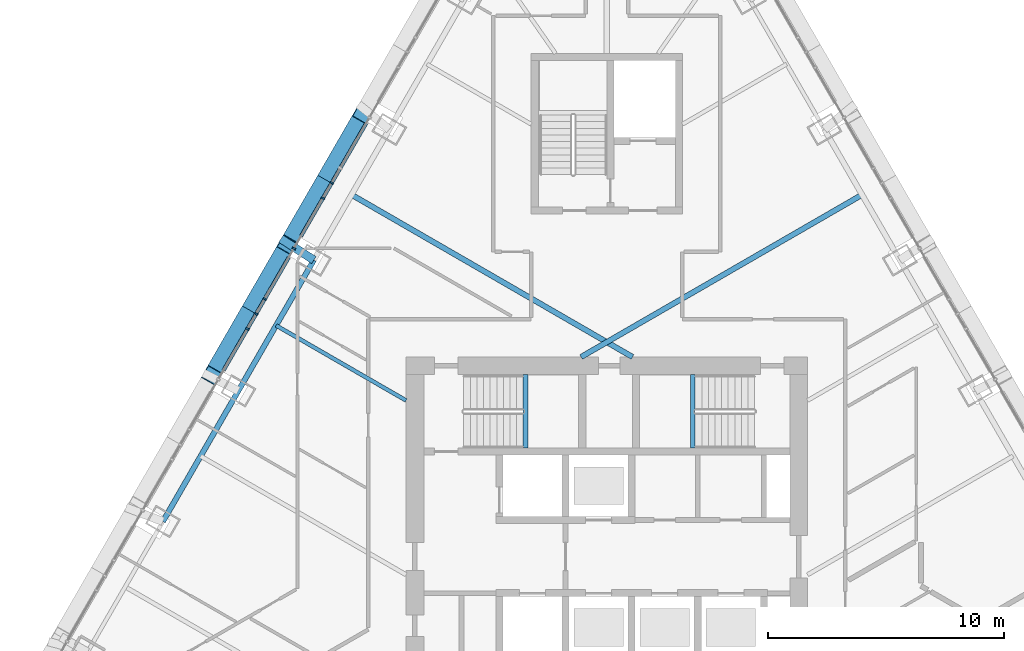
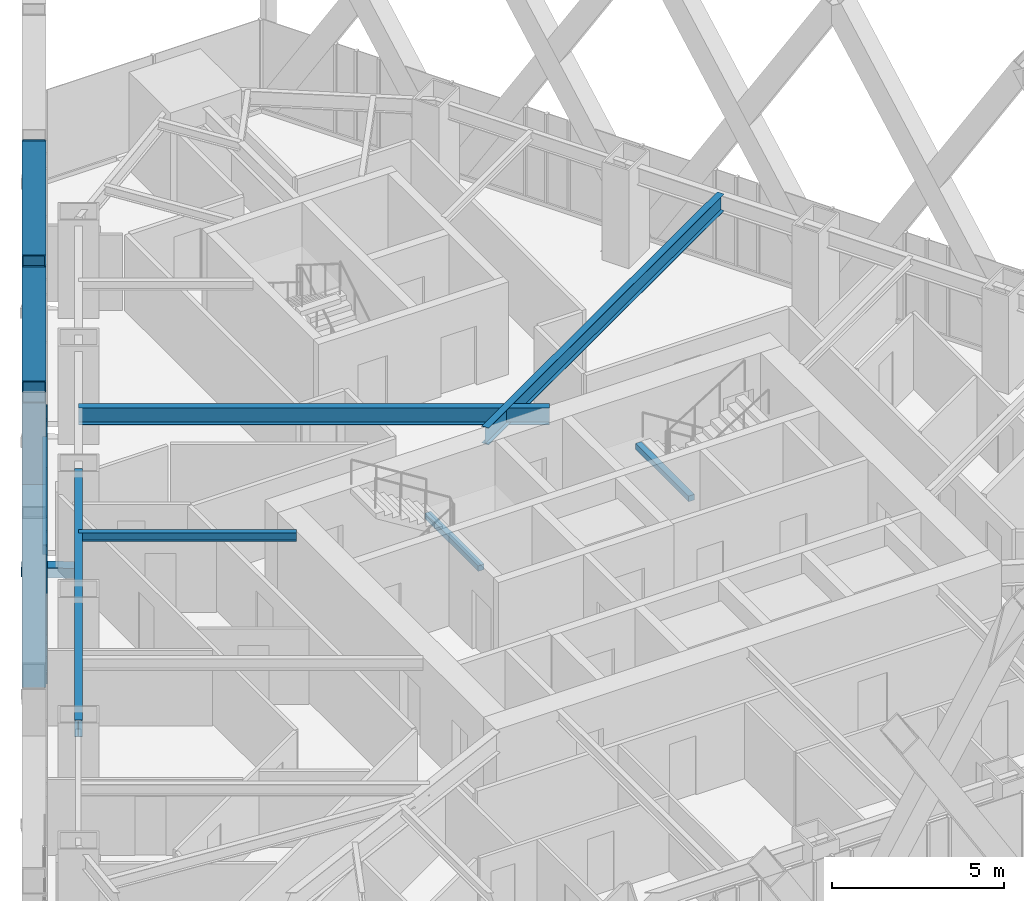
# One storey, part 4 of 21: 13 members, 6 beams, 1 element without a shape of its own.
"""IFC4 building model written with IfcOpenShell, lengths in metres."""

from ifc_helpers import new_model, si_unit, direction, frame, origin, origin_2d, place, context, subcontext, project, spatial, rectangle, hollow_rectangle, i_section, extrude, material, layer, layer_set, material_profile, profile_set, type_object, element, aggregate, save


model = new_model("IFC4")

# Units and contexts
model_context = context("Model", 3, precision=1e-05, world=origin(), true_north=direction((0.0, 1.0)))
body_context = subcontext(model_context, "Body", "Model", "MODEL_VIEW")
ifc_project = project(units=[si_unit("LENGTHUNIT", "METRE"), si_unit("AREAUNIT", "SQUARE_METRE"), si_unit("VOLUMEUNIT", "CUBIC_METRE"), si_unit("PLANEANGLEUNIT", "RADIAN"), si_unit("MASSUNIT", "GRAM", prefix="KILO")], contexts=[model_context])

# Site, building, storey
site_placement = place(None, origin())
site = spatial("IfcSite", under=ifc_project, at=site_placement, CompositionType="ELEMENT")
building_placement = place(site_placement, origin())
building = spatial("IfcBuilding", under=site, at=building_placement, Name="Firuza Gate Tower and Library", CompositionType="ELEMENT")
storey_placement = place(building_placement, frame((0.0, 0.0, 281.10009765625)))
storey = spatial("IfcBuildingStorey", under=building, at=storey_placement, Name="L67", CompositionType="ELEMENT", Elevation=281.10009765625)

# Members
ifc_material_1 = material(Name="Steel S355", Category="steel")
ifc_material_profile_1 = material_profile(ifc_material_1, hollow_rectangle(XDim=0.699951171875, YDim=0.699951171875, WallThickness=0.030029296875, at=origin_2d()))
ifc_profile_set_1 = profile_set([ifc_material_profile_1], Name="Steel S355")
member_type_1 = type_object("IfcMemberType", Name="BU700x700x30 Lattice brace", PredefinedType="BRACE", material=ifc_profile_set_1)
for number, where, z_axis, x_axis, name in (
    (1, (64.664306640625, 92.033935546875, 0.0), (-0.259928079676, -0.450176524361, 0.854270735956), (0.866009957911, -0.500026752084, 0.0), "Lattice brace W 17.3R"),
    (2, (61.469482421875, 86.500732421875, 0.0), (0.259928079676, 0.450176524361, 0.854270735956), (-0.866009957911, 0.500026752084, 0.0), "Lattice brace W 17.3L"),
    (3, (61.469482421875, 86.500732421875, 0.0), (-0.259907234342, -0.450194686004, 0.854267507418), (0.866036056452, -0.499981548585, 0.0), "Lattice brace W 17.4R"),
    (4, (58.27490234375, 80.96728515625, 0.0), (0.259907234342, 0.450194686004, 0.854267507418), (-0.866036056452, 0.499981548585, 0.0), "Lattice brace W 17.4L"),
):
    element("IfcMember", number, at=place(storey_placement, frame(where, z_axis=z_axis, x_axis=x_axis)), inside=storey, type_object=member_type_1, Name=name, PredefinedType="BRACE", context=body_context, shape_type="SweptSolid", body=[
        extrude(hollow_rectangle(XDim=0.699951171875, YDim=0.699951171875, WallThickness=0.030029296875, at=origin_2d()), origin(), (0.0, 0.0, 1.0), 12.291259765625),
    ])

# Curtain wall, members
ifc_material_2 = material(Name="Aluminium 6063-T6", Category="aluminium")
ifc_layer = layer(ifc_material_2, 0.14990234375)
ifc_layer_set = layer_set([ifc_layer], Name="Unitised curtain wall, residences")
curtain_wall_type = type_object("IfcCurtainWallType", Name="Unitised curtain wall, residences", PredefinedType="NOTDEFINED", material=ifc_layer_set)
curtain_wall_placement = place(storey_placement, origin())
curtain_wall = element("IfcCurtainWall", 5, at=curtain_wall_placement, inside=storey, type_object=curtain_wall_type, Name="CW3 L67 W face", PredefinedType="NOTDEFINED")
ifc_material_3 = material(Name="Aluminium 6063-T6", Category="aluminium")
ifc_material_profile_2 = material_profile(ifc_material_3, rectangle(XDim=0.14990234375, YDim=0.080078125, at=origin_2d()))
ifc_profile_set_2 = profile_set([ifc_material_profile_2], Name="Aluminium 6063-T6")
member_type_2 = type_object("IfcMemberType", Name="Curtain wall mullion 80x150", PredefinedType="MULLION", material=ifc_profile_set_2)
member_1_placement = place(storey_placement, frame((63.3544921875, 89.115478515625, 0.14990234375), z_axis=(0.0, 0.0, 1.0), x_axis=(0.866025403784, -0.5, 0.0)))
member_1 = element("IfcMember", 6, at=member_1_placement, type_object=member_type_2, Name="Mullion", PredefinedType="MULLION", context=body_context, shape_type="SweptSolid", body=[
    extrude(rectangle(XDim=0.14990234375, YDim=0.080078125, at=origin_2d()), origin(), (0.0, 0.0, 1.0), 3.14990234375),
])
member_2_placement = place(storey_placement, frame((61.754150390625, 86.343505859375, 0.14990234375), z_axis=(0.0, 0.0, 1.0), x_axis=(0.866025403784, -0.5, 0.0)))
member_2 = element("IfcMember", 7, at=member_2_placement, type_object=member_type_2, Name="Mullion", PredefinedType="MULLION", context=body_context, shape_type="SweptSolid", body=[
    extrude(rectangle(XDim=0.14990234375, YDim=0.080078125, at=origin_2d()), origin(), (0.0, 0.0, 1.0), 3.14990234375),
])
member_3_placement = place(storey_placement, frame((60.15380859375, 83.571533203125, 0.14990234375), z_axis=(0.0, 0.0, 1.0), x_axis=(0.866025403784, -0.5, 0.0)))
member_3 = element("IfcMember", 8, at=member_3_placement, type_object=member_type_2, Name="Mullion", PredefinedType="MULLION", context=body_context, shape_type="SweptSolid", body=[
    extrude(rectangle(XDim=0.14990234375, YDim=0.080078125, at=origin_2d()), origin(), (0.0, 0.0, 1.0), 3.14990234375),
])
member_4_placement = place(storey_placement, frame((62.982421875, 88.470947265625, 0.14990234375), z_axis=(0.0, 0.0, 1.0), x_axis=(0.866025403784, -0.5, 0.0)))
member_4 = element("IfcMember", 9, at=member_4_placement, type_object=member_type_2, Name="Mullion", PredefinedType="MULLION", context=body_context, shape_type="SweptSolid", body=[
    extrude(rectangle(XDim=0.14990234375, YDim=0.080078125, at=origin_2d()), origin(), (0.0, 0.0, 1.0), 3.14990234375),
])
member_5_placement = place(storey_placement, frame((60.519775390625, 84.205322265625, 0.14990234375), z_axis=(0.0, 0.0, 1.0), x_axis=(0.866025403784, -0.5, 0.0)))
member_5 = element("IfcMember", 10, at=member_5_placement, type_object=member_type_2, Name="Mullion", PredefinedType="MULLION", context=body_context, shape_type="SweptSolid", body=[
    extrude(rectangle(XDim=0.14990234375, YDim=0.080078125, at=origin_2d()), origin(), (0.0, 0.0, 1.0), 3.14990234375),
])
member_6_placement = place(storey_placement, frame((59.787841796875, 82.937744140625, 0.14990234375), z_axis=(0.0, 0.0, 1.0), x_axis=(0.866025403784, -0.5, 0.0)))
member_6 = element("IfcMember", 11, at=member_6_placement, type_object=member_type_2, Name="Mullion", PredefinedType="MULLION", context=body_context, shape_type="SweptSolid", body=[
    extrude(rectangle(XDim=0.14990234375, YDim=0.080078125, at=origin_2d()), origin(), (0.0, 0.0, 1.0), 3.14990234375),
])
ifc_material_4 = material(Name="Aluminium 6063-T6", Category="aluminium")
ifc_material_profile_3 = material_profile(ifc_material_4, rectangle(XDim=0.14990234375, YDim=0.35009765625, at=origin_2d()))
ifc_profile_set_3 = profile_set([ifc_material_profile_3], Name="Aluminium 6063-T6")
member_type_3 = type_object("IfcMemberType", Name="Curtain wall transom 350x150", PredefinedType="USERDEFINED", material=ifc_profile_set_3)
member_7_placement = place(storey_placement, frame((64.81396484375, 91.643310546875, -0.025146484375), z_axis=(-0.500003709762, -0.866023261942, 0.0), x_axis=(0.866023261942, -0.500003709762, 0.0)))
member_7 = element("IfcMember", 12, at=member_7_placement, type_object=member_type_3, Name="Transom", ObjectType="TRANSOM", PredefinedType="USERDEFINED", context=body_context, shape_type="SweptSolid", body=[
    extrude(rectangle(XDim=0.14990234375, YDim=0.35009765625, at=origin_2d()), origin(), (0.0, 0.0, 1.0), 5.51025390625),
])
member_8_placement = place(storey_placement, frame((61.53125, 85.95751953125, -0.025146484375), z_axis=(-0.500003709762, -0.866023261942, 0.0), x_axis=(0.866023261942, -0.500003709762, 0.0)))
member_8 = element("IfcMember", 13, at=member_8_placement, type_object=member_type_3, Name="Transom", ObjectType="TRANSOM", PredefinedType="USERDEFINED", context=body_context, shape_type="SweptSolid", body=[
    extrude(rectangle(XDim=0.14990234375, YDim=0.35009765625, at=origin_2d()), origin(), (0.0, 0.0, 1.0), 5.51025390625),
])
aggregate(curtain_wall, [member_1, member_2, member_3, member_7, member_8, member_4, member_5, member_6])

# Member
ifc_material_5 = material(Name="Steel S355", Category="steel")
ifc_material_profile_4 = material_profile(ifc_material_5, hollow_rectangle(XDim=0.355712890625, YDim=0.355712890625, WallThickness=0.014892578125, at=origin_2d()))
ifc_profile_set_4 = profile_set([ifc_material_profile_4], Name="Steel S355")
member_type_4 = type_object("IfcMemberType", Name="HSS356x356x16 Lattice node tie", PredefinedType="BRACE", material=ifc_profile_set_4)
member_9_placement = place(storey_placement, frame((62.595458984375, 85.8505859375, -0.320068359375), z_axis=(-0.838272003294, 0.545252279677, 0.0), x_axis=(-0.545252279677, -0.838272003294, 0.0)))
element("IfcMember", 14, at=member_9_placement, inside=storey, type_object=member_type_4, Name="Lattice node tie W L67 457", PredefinedType="BRACE", context=body_context, shape_type="SweptSolid", body=[
    extrude(hollow_rectangle(XDim=0.355712890625, YDim=0.355712890625, WallThickness=0.014892578125, at=origin_2d()), origin(), (0.0, 0.0, 1.0), 1.657958984375),
])

# Beams
ifc_material_6 = material(Name="Concrete C35/45", Category="concrete")
ifc_material_profile_5 = material_profile(ifc_material_6, rectangle(XDim=0.199951171875, YDim=0.199951171875, at=origin_2d()))
ifc_profile_set_5 = profile_set([ifc_material_profile_5], Name="Concrete C35/45")
beam_type_1 = type_object("IfcBeamType", Name="Stair landing bearer 200x200", PredefinedType="BEAM", material=ifc_profile_set_5)
for number, where, z_axis, x_axis, name in (
    (15, (71.56005859375, 77.89990234375, 1.449951171875), (0.0, 1.0, 0.0), (-1.0, 0.0, 0.0), "Landing bearer L67 stair 1"),
    (16, (78.639892578125, 81.0, 1.449951171875), (0.0, -1.0, 0.0), (1.0, 0.0, 0.0), "Landing bearer L67 stair 2"),
):
    element("IfcBeam", number, at=place(storey_placement, frame(where, z_axis=z_axis, x_axis=x_axis)), inside=storey, type_object=beam_type_1, Name=name, PredefinedType="BEAM", context=body_context, shape_type="SweptSolid", body=[
        extrude(rectangle(XDim=0.199951171875, YDim=0.199951171875, at=origin_2d()), origin(), (0.0, 0.0, 1.0), 3.10009765625),
    ])
ifc_material_7 = material(Name="Steel S355", Category="steel")
ifc_material_profile_6 = material_profile(ifc_material_7, i_section(OverallWidth=0.1650390625, OverallDepth=0.31005859375, WebThickness=0.005859375, FlangeThickness=0.009765625, at=origin_2d()))
ifc_profile_set_6 = profile_set([ifc_material_profile_6], Name="Steel S355")
beam_type_2 = type_object("IfcBeamType", Name="W310x39 Floor beam", PredefinedType="JOIST", material=ifc_profile_set_6)
beam_1_placement = place(storey_placement, frame((60.998046875, 83.083984375, 3.14501953125), z_axis=(0.866028160477, -0.499995225238, 0.0), x_axis=(0.499995225238, 0.866028160477, 0.0)))
element("IfcBeam", 17, at=beam_1_placement, inside=storey, type_object=beam_type_2, Name="Floor beam L67 s82", PredefinedType="JOIST", context=body_context, shape_type="SweptSolid", body=[
    extrude(i_section(OverallWidth=0.1650390625, OverallDepth=0.31005859375, WebThickness=0.005859375, FlangeThickness=0.009765625, at=origin_2d()), origin(), (0.0, 0.0, 1.0), 6.35302734375),
])
ifc_material_8 = material(Name="Steel S355", Category="steel")
ifc_material_profile_7 = material_profile(ifc_material_8, i_section(OverallWidth=0.22802734375, OverallDepth=0.60302734375, WebThickness=0.010498046875, FlangeThickness=0.014892578125, at=origin_2d()))
ifc_profile_set_7 = profile_set([ifc_material_profile_7], Name="Steel S355")
beam_type_3 = type_object("IfcBeamType", Name="W610x101 Floor beam", PredefinedType="JOIST", material=ifc_profile_set_7)
for number, where, z_axis, x_axis, name in (
    (18, (85.80712890625, 88.617431640625, 2.998291015625), (-0.866021594624, -0.500006597602, 0.0), (0.500006597602, -0.866021594624, 0.0), "Floor beam L67 s53"),
    (19, (64.19287109375, 88.617431640625, 2.998291015625), (0.866021594624, -0.500006597602, 0.0), (0.500006597602, 0.866021594624, 0.0), "Floor beam L67 s81"),
):
    element("IfcBeam", number, at=place(storey_placement, frame(where, z_axis=z_axis, x_axis=x_axis)), inside=storey, type_object=beam_type_3, Name=name, PredefinedType="JOIST", context=body_context, shape_type="SweptSolid", body=[
        extrude(i_section(OverallWidth=0.22802734375, OverallDepth=0.60302734375, WebThickness=0.010498046875, FlangeThickness=0.014892578125, at=origin_2d()), origin(), (0.0, 0.0, 1.0), 13.734619140625),
    ])
ifc_material_9 = material(Name="Steel S355", Category="steel")
ifc_material_profile_8 = material_profile(ifc_material_9, i_section(OverallWidth=0.22900390625, OverallDepth=0.612060546875, WebThickness=0.011962890625, FlangeThickness=0.01953125, at=origin_2d()))
ifc_profile_set_8 = profile_set([ifc_material_profile_8], Name="Steel S355")
beam_type_4 = type_object("IfcBeamType", Name="W610x125 Edge beam", PredefinedType="SPANDREL", material=ifc_profile_set_8)
beam_2_placement = place(storey_placement, frame((62.595458984375, 85.8505859375, 2.993896484375), z_axis=(-0.500004150346, -0.866023007568, 0.0), x_axis=(0.866023007568, -0.500004150346, 0.0)))
element("IfcBeam", 20, at=beam_2_placement, inside=storey, type_object=beam_type_4, Name="Edge beam L67 e82", PredefinedType="SPANDREL", context=body_context, shape_type="SweptSolid", body=[
    extrude(i_section(OverallWidth=0.22900390625, OverallDepth=0.612060546875, WebThickness=0.011962890625, FlangeThickness=0.01953125, at=origin_2d()), origin(), (0.0, 0.0, 1.0), 12.77880859375),
])

save(model, "model.ifc")
